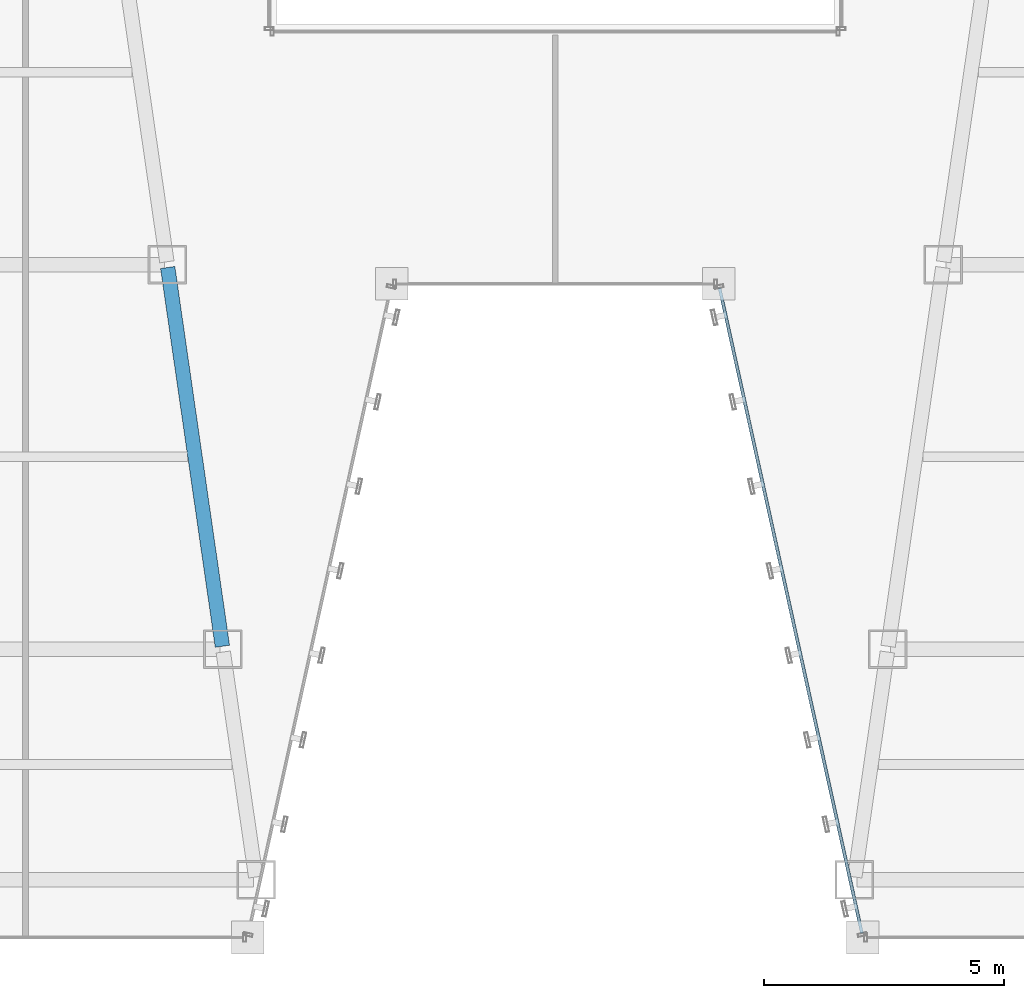
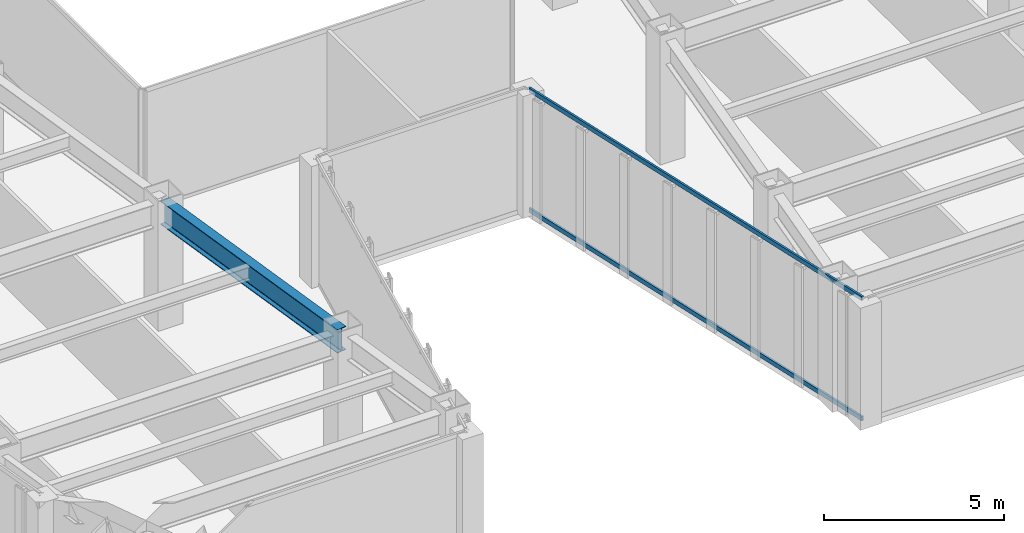
# One storey, part 8 of 47: 2 members, 1 beam, 1 element without a shape of its own.
"""IFC4 building model written with IfcOpenShell, lengths in metres."""

from ifc_helpers import new_model, si_unit, direction, frame, origin, origin_2d, place, context, subcontext, project, spatial, hollow_rectangle, i_section, extrude, material, material_profile, profile_set, type_object, element, aggregate, save


model = new_model("IFC4")

# Units and contexts
model_context = context("Model", 3, precision=1e-05, world=origin(), true_north=direction((0.0, 1.0)))
body_context = subcontext(model_context, "Body", "Model", "MODEL_VIEW")
ifc_project = project(units=[si_unit("LENGTHUNIT", "METRE"), si_unit("AREAUNIT", "SQUARE_METRE"), si_unit("VOLUMEUNIT", "CUBIC_METRE"), si_unit("PLANEANGLEUNIT", "RADIAN"), si_unit("MASSUNIT", "GRAM", prefix="KILO")], contexts=[model_context])

# Site, building, storey
site_placement = place(None, origin())
site = spatial("IfcSite", under=ifc_project, at=site_placement, CompositionType="ELEMENT")
building_placement = place(site_placement, origin())
building = spatial("IfcBuilding", under=site, at=building_placement, Name="Saevonmaru Cultural Tower", CompositionType="ELEMENT")
storey_placement = place(building_placement, frame((0.0, 0.0, 69.199951171875)))
storey = spatial("IfcBuildingStorey", under=building, at=storey_placement, Name="L14", CompositionType="ELEMENT", Elevation=69.199951171875)

# Beam
ifc_material_1 = material(Name="Steel SM420", Category="steel")
ifc_material_profile_1 = material_profile(ifc_material_1, i_section(OverallWidth=0.300048828125, OverallDepth=0.800048828125, WebThickness=0.013916015625, FlangeThickness=0.02587890625, FilletRadius=0.028076171875, at=origin_2d()), Name="H-800x300x14x26")
ifc_profile_set_1 = profile_set([ifc_material_profile_1], Name="Steel SM420")
beam_type = type_object("IfcBeamType", Name="BM-G-H800", PredefinedType="BEAM", material=ifc_profile_set_1)
beam_placement = place(storey_placement, frame((23.074462890625, 8.059326171875, 3.75), z_axis=(-0.142902032203, 0.989736838353, 0.0), x_axis=(-0.989736838353, -0.142902032203, 0.0)))
element("IfcBeam", 1, at=beam_placement, inside=storey, type_object=beam_type, Name="L14 West Atrium Girder 2", PredefinedType="BEAM", context=body_context, shape_type="SweptSolid", body=[
    extrude(i_section(OverallWidth=0.300048828125, OverallDepth=0.800048828125, WebThickness=0.013916015625, FlangeThickness=0.02587890625, FilletRadius=0.028076171875, at=origin_2d()), origin(), (0.0, 0.0, 1.0), 7.963134765625),
])

# Curtain wall, members
ifc_material_2 = material(Name="Satin Bronze Anodised Aluminium", Category="aluminium")
curtain_wall_type = type_object("IfcCurtainWallType", Name="CW-TYP-A", PredefinedType="NOTDEFINED", material=ifc_material_2)
curtain_wall_placement = place(storey_placement, origin())
curtain_wall = element("IfcCurtainWall", 2, at=curtain_wall_placement, inside=storey, type_object=curtain_wall_type, Name="L14 Unitised Curtain Wall E5", PredefinedType="NOTDEFINED")
ifc_material_profile_2 = material_profile(ifc_material_2, hollow_rectangle(XDim=0.06494140625, YDim=0.14990234375, WallThickness=0.00390625, at=origin_2d()), Name="ALU-TRAN-150x65x4")
ifc_profile_set_2 = profile_set([ifc_material_profile_2], Name="Satin Bronze Anodised Aluminium")
member_type = type_object("IfcMemberType", Name="TR-CW-150x65", PredefinedType="USERDEFINED", material=ifc_profile_set_2)
member_1_placement = place(storey_placement, frame((33.419921875, 15.509765625, 0.032470703125), z_axis=(0.21541214732, -0.976523223885, 0.0), x_axis=(0.976523223885, 0.21541214732, 0.0)))
member_1 = element("IfcMember", 3, at=member_1_placement, type_object=member_type, Name="CW-TW-L14-E5 transom 1.1", ObjectType="TRANSOM", PredefinedType="USERDEFINED", context=body_context, shape_type="SweptSolid", body=[
    extrude(hollow_rectangle(XDim=0.06494140625, YDim=0.14990234375, WallThickness=0.00390625, at=origin_2d()), origin(), (0.0, 0.0, 1.0), 13.741943359375),
])
member_2_placement = place(storey_placement, frame((33.419921875, 15.509765625, 4.117431640625), z_axis=(0.21541214732, -0.976523223885, 0.0), x_axis=(0.976523223885, 0.21541214732, 0.0)))
member_2 = element("IfcMember", 4, at=member_2_placement, type_object=member_type, Name="CW-TW-L14-E5 transom 1.2", ObjectType="TRANSOM", PredefinedType="USERDEFINED", context=body_context, shape_type="SweptSolid", body=[
    extrude(hollow_rectangle(XDim=0.06494140625, YDim=0.14990234375, WallThickness=0.00390625, at=origin_2d()), origin(), (0.0, 0.0, 1.0), 13.741943359375),
])
aggregate(curtain_wall, [member_1, member_2])

save(model, "model.ifc")
